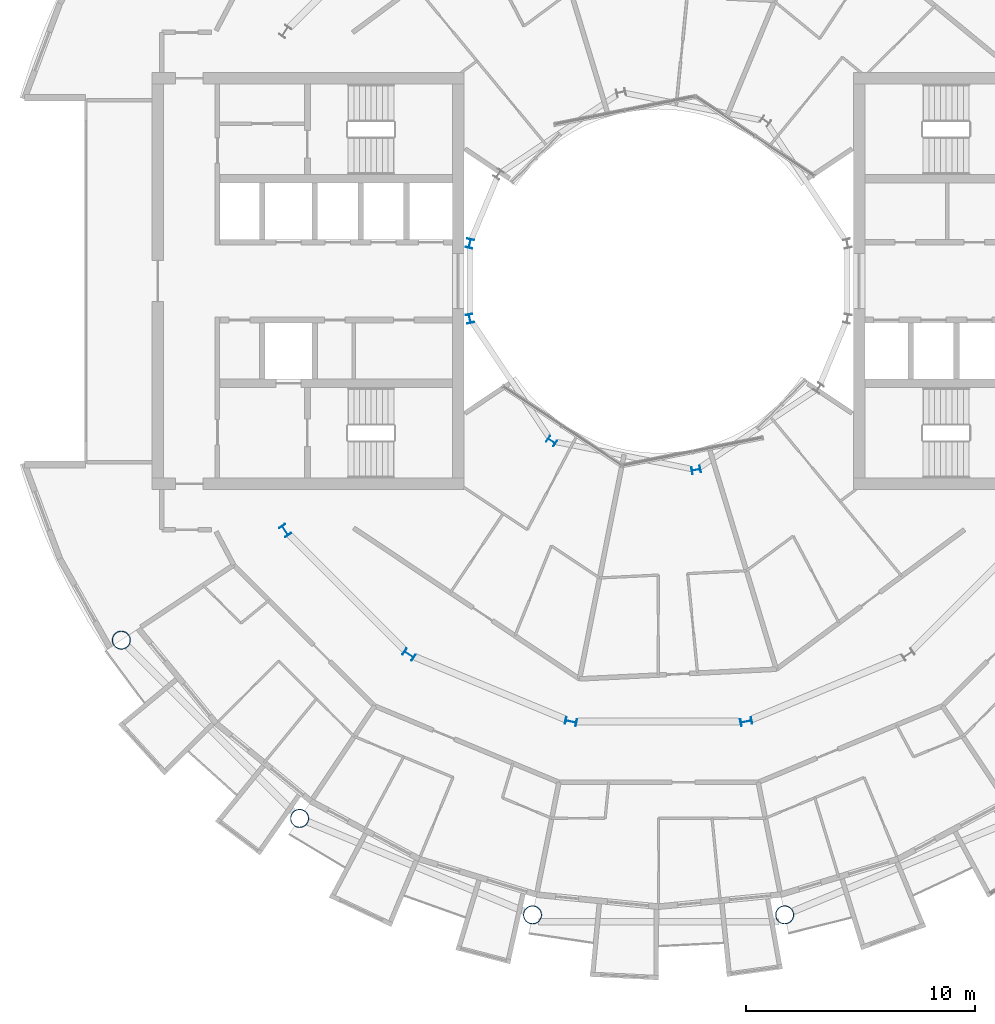
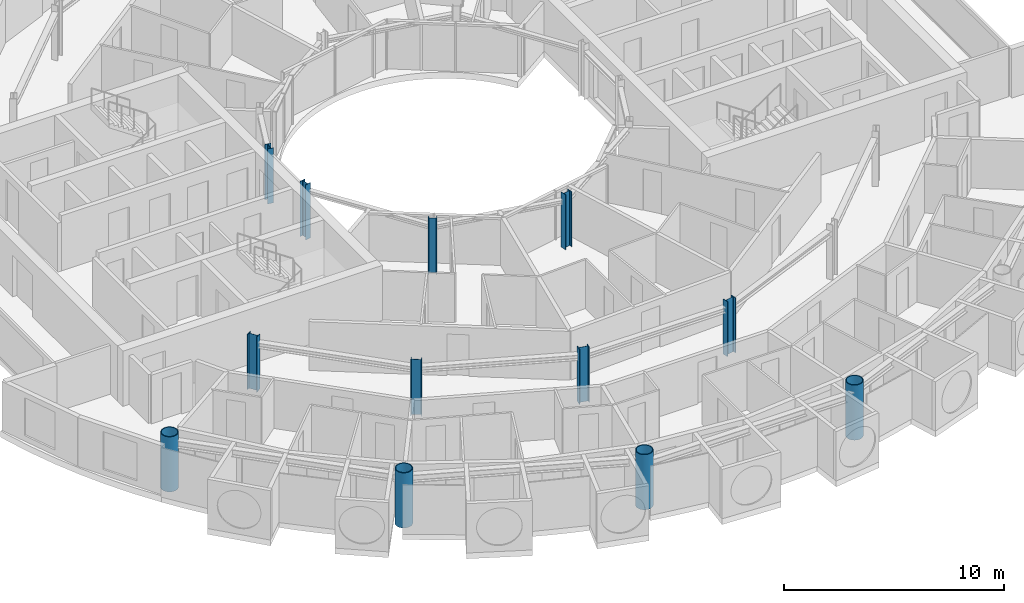
# One storey, part 1 of 27: 12 columns.
"""IFC4 building model written with IfcOpenShell, lengths in metres."""

from ifc_helpers import new_model, si_unit, direction, frame, origin, origin_2d, place, context, subcontext, project, spatial, hollow_circle, i_section, extrude, material, material_profile, profile_set, type_object, element, save


model = new_model("IFC4")

# Units and contexts
model_context = context("Model", 3, precision=1e-05, world=origin(), true_north=direction((0.0, 1.0)))
body_context = subcontext(model_context, "Body", "Model", "MODEL_VIEW")
ifc_project = project(units=[si_unit("LENGTHUNIT", "METRE"), si_unit("AREAUNIT", "SQUARE_METRE"), si_unit("VOLUMEUNIT", "CUBIC_METRE"), si_unit("PLANEANGLEUNIT", "RADIAN"), si_unit("MASSUNIT", "GRAM", prefix="KILO")], contexts=[model_context])

# Site, building, storey
site_placement = place(None, origin())
site = spatial("IfcSite", under=ifc_project, at=site_placement, CompositionType="ELEMENT")
building_placement = place(site_placement, origin())
building = spatial("IfcBuilding", under=site, at=building_placement, Name="Maasbend Ring Residences", CompositionType="ELEMENT")
storey_placement = place(building_placement, frame((0.0, 0.0, 170.75)))
storey = spatial("IfcBuildingStorey", under=building, at=storey_placement, Name="L49", CompositionType="ELEMENT", Elevation=170.75)

# Columns
ifc_material_1 = material(Name="Composite concrete-filled steel tube S460NH / C80/95", Category="concrete")
ifc_material_profile_1 = material_profile(ifc_material_1, hollow_circle(Radius=0.406494140625, WallThickness=0.0400390625, at=origin_2d()), Name="Composite tube column CHS 813x40")
ifc_profile_set_1 = profile_set([ifc_material_profile_1], Name="Composite concrete-filled steel tube S460NH / C80/95")
column_type_1 = type_object("IfcColumnType", Name="Composite tube column CHS 813x40", PredefinedType="COLUMN", material=ifc_profile_set_1)
for number, where, z_axis, x_axis, name in (
    (1, (-23.447509765625, -15.6669921875, 0.0), (0.0, 0.0, 1.0), (1.0, 0.0, 0.0), "Outer column R10"),
    (2, (-15.6669921875, -23.447509765625, 0.0), (0.0, 0.0, 1.0), (1.0, 0.0, 0.0), "Outer column R11"),
    (3, (-5.50146484375, -27.658203125, 0.0), (0.0, 0.0, 1.0), (1.0, 0.0, 0.0), "Outer column R12"),
    (4, (5.50146484375, -27.658203125, 0.0), (0.0, 0.0, 1.0), (1.0, 0.0, 0.0), "Outer column R13"),
):
    element("IfcColumn", number, at=place(storey_placement, frame(where, z_axis=z_axis, x_axis=x_axis)), inside=storey, type_object=column_type_1, Name=name, PredefinedType="COLUMN", context=body_context, shape_type="SweptSolid", body=[
        extrude(hollow_circle(Radius=0.406494140625, WallThickness=0.0400390625, at=origin_2d()), origin(), (0.0, 0.0, 1.0), 3.050048828125),
    ])
ifc_material_2 = material(Name="Steel S355J2", Category="steel")
ifc_material_profile_2 = material_profile(ifc_material_2, i_section(OverallWidth=0.300048828125, OverallDepth=0.389892578125, WebThickness=0.010986328125, FlangeThickness=0.01904296875, FilletRadius=0.027099609375, at=origin_2d()), Name="HEA 400")
ifc_profile_set_2 = profile_set([ifc_material_profile_2], Name="Steel S355J2")
column_type_2 = type_object("IfcColumnType", Name="Steel column HEA 400", PredefinedType="COLUMN", material=ifc_profile_set_2)
for number, where, z_axis, x_axis, name in (
    (5, (-8.238525390625, 1.638916015625, 0.0), (0.0, 0.0, 1.0), (-0.980785280403, 0.195090322016, 0.0), "Well ring column R8"),
    (6, (-8.238525390625, -1.638916015625, 0.0), (0.0, 0.0, 1.0), (-0.980785280403, -0.195090322016, 0.0), "Well ring column R9"),
    (7, (-4.666748046875, -6.984375, 0.0), (0.0, 0.0, 1.0), (-0.55557023302, -0.831469612303, 0.0), "Well ring column R11"),
    (8, (1.638916015625, -8.238525390625, 0.0), (0.0, 0.0, 1.0), (0.195090322016, -0.980785280403, 0.0), "Well ring column R13"),
):
    element("IfcColumn", number, at=place(storey_placement, frame(where, z_axis=z_axis, x_axis=x_axis)), inside=storey, type_object=column_type_2, Name=name, PredefinedType="COLUMN", context=body_context, shape_type="SweptSolid", body=[
        extrude(i_section(OverallWidth=0.300048828125, OverallDepth=0.389892578125, WebThickness=0.010986328125, FlangeThickness=0.01904296875, FilletRadius=0.027099609375, at=origin_2d()), origin(), (0.0, 0.0, 1.0), 3.050048828125),
    ])
ifc_material_3 = material(Name="Steel S355J2", Category="steel")
ifc_material_profile_3 = material_profile(ifc_material_3, i_section(OverallWidth=0.300048828125, OverallDepth=0.5, WebThickness=0.014404296875, FlangeThickness=0.028076171875, FilletRadius=0.027099609375, at=origin_2d()), Name="HEB 500")
ifc_profile_set_3 = profile_set([ifc_material_profile_3], Name="Steel S355J2")
column_type_3 = type_object("IfcColumnType", Name="Steel column HEB 500", PredefinedType="COLUMN", material=ifc_profile_set_3)
for number, where, z_axis, x_axis, name in (
    (9, (-16.296875, -10.88916015625, 0.0), (0.0, 0.0, 1.0), (-0.831469612303, -0.55557023302, 0.0), "Corridor ring column R10"),
    (10, (-10.88916015625, -16.296875, 0.0), (0.0, 0.0, 1.0), (-0.55557023302, -0.831469612303, 0.0), "Corridor ring column R11"),
    (11, (-3.82373046875, -19.223388671875, 0.0), (0.0, 0.0, 1.0), (-0.195090322016, -0.980785280403, 0.0), "Corridor ring column R12"),
    (12, (3.82373046875, -19.223388671875, 0.0), (0.0, 0.0, 1.0), (0.195090322016, -0.980785280403, 0.0), "Corridor ring column R13"),
):
    element("IfcColumn", number, at=place(storey_placement, frame(where, z_axis=z_axis, x_axis=x_axis)), inside=storey, type_object=column_type_3, Name=name, PredefinedType="COLUMN", context=body_context, shape_type="SweptSolid", body=[
        extrude(i_section(OverallWidth=0.300048828125, OverallDepth=0.5, WebThickness=0.014404296875, FlangeThickness=0.028076171875, FilletRadius=0.027099609375, at=origin_2d()), origin(), (0.0, 0.0, 1.0), 3.050048828125),
    ])

save(model, "model.ifc")
